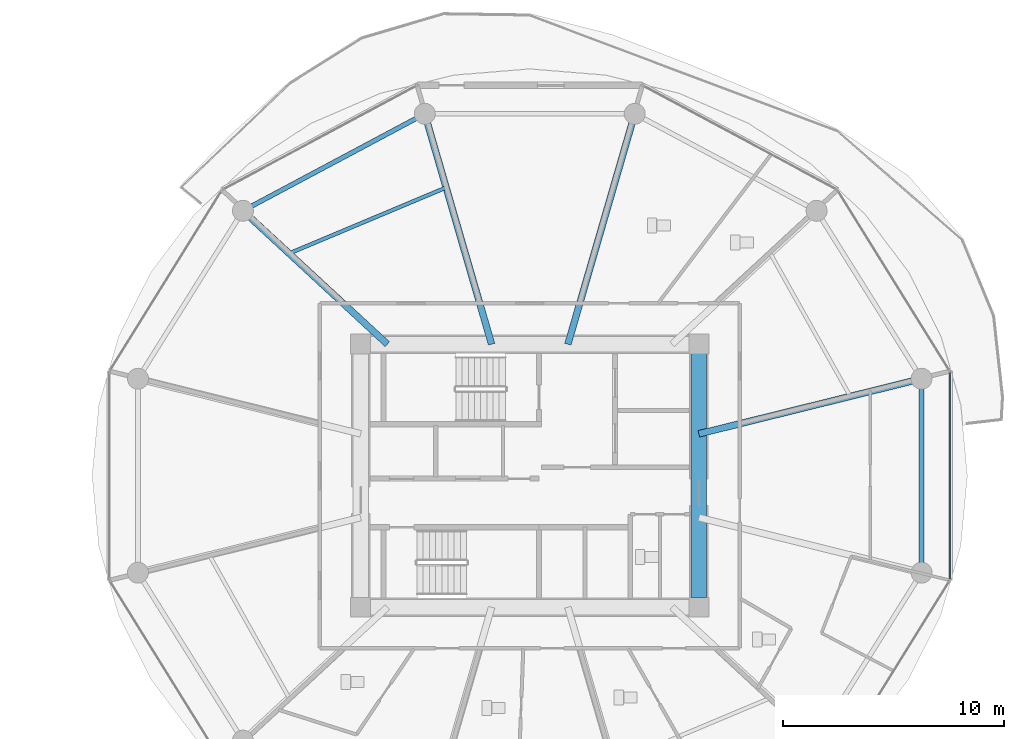
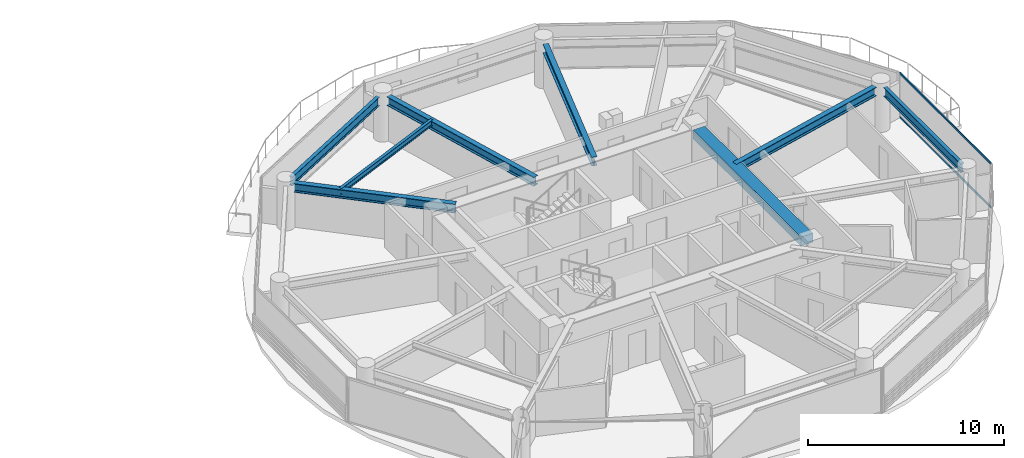
# One storey, part 12 of 27: 8 beams, 2 members, 1 element without a shape of its own.
"""IFC4 building model written with IfcOpenShell, lengths in metres."""

from ifc_helpers import new_model, si_unit, direction, frame, origin, origin_2d, place, context, subcontext, project, spatial, rectangle, i_section, extrude, source, transform, mapped, material, layer, layer_set, material_profile, profile_set, type_object, type_shapes, element, aggregate, save


model = new_model("IFC4")

# Units and contexts
model_context = context("Model", 3, precision=1e-05, world=origin(), true_north=direction((0.0, 1.0)))
body_context = subcontext(model_context, "Body", "Model", "MODEL_VIEW")
ifc_project = project(units=[si_unit("LENGTHUNIT", "METRE"), si_unit("AREAUNIT", "SQUARE_METRE"), si_unit("VOLUMEUNIT", "CUBIC_METRE"), si_unit("PLANEANGLEUNIT", "RADIAN"), si_unit("MASSUNIT", "GRAM", prefix="KILO")], contexts=[model_context])

# Site, building, storey
site_placement = place(None, origin())
site = spatial("IfcSite", under=ifc_project, at=site_placement, CompositionType="ELEMENT")
building_placement = place(site_placement, origin())
building = spatial("IfcBuilding", under=site, at=building_placement, Name="Norrkilde Senior Care Towers", CompositionType="ELEMENT")
storey_placement = place(building_placement, frame((0.0, 0.0, 52.10009765625)))
storey = spatial("IfcBuildingStorey", under=building, at=storey_placement, Name="L15", CompositionType="ELEMENT", Elevation=52.10009765625)

# Beams
ifc_material_1 = material(Name="Concrete C60/75", Category="concrete")
ifc_material_profile_1 = material_profile(ifc_material_1, rectangle(XDim=0.699951171875, YDim=0.550048828125, at=origin_2d()), Name="RC BM 700x550")
ifc_profile_set_1 = profile_set([ifc_material_profile_1], Name="Concrete C60/75")
beam_type_1 = type_object("IfcBeamType", Name="Core Portal Coupling Beam 700x550", PredefinedType="USERDEFINED", material=ifc_profile_set_1)
shared_shape_1 = source(origin(), body_context, "Body", "SweptSolid", [
    extrude(rectangle(XDim=0.699951171875, YDim=0.550048828125, at=origin_2d()), origin(), (0.0, 0.0, 1.0), 11.0400390625),
])
type_shapes(beam_type_1, [shared_shape_1])
beam_1_placement = place(storey_placement, frame((35.64990234375, -5.52001953125, 2.514892578125), z_axis=(0.0, 1.0, 0.0), x_axis=(-1.0, 0.0, 0.0)))
element("IfcBeam", 1, at=beam_1_placement, inside=storey, type_object=beam_type_1, Name="L15 Core E E Coupling Girder", ObjectType="GIRDER", PredefinedType="USERDEFINED", context=body_context, shape_type="MappedRepresentation", body=[
    mapped(shared_shape_1, transform((0.0, 0.0, 0.0), x_axis=(1.0, 0.0, 0.0), y_axis=(0.0, 1.0, 0.0), z_axis=(0.0, 0.0, 1.0), scale=1.0)),
])
ifc_material_2 = material(Name="Steel S355", Category="steel")
ifc_material_profile_2 = material_profile(ifc_material_2, i_section(OverallWidth=0.300048828125, OverallDepth=0.550048828125, WebThickness=0.014892578125, FlangeThickness=0.029052734375, FilletRadius=0.027099609375, at=origin_2d()), Name="HEB 550")
ifc_profile_set_2 = profile_set([ifc_material_profile_2], Name="Steel S355")
beam_type_2 = type_object("IfcBeamType", Name="Radial Floor Beam Z1 HEB550", PredefinedType="BEAM", material=ifc_profile_set_2)
shared_shape_2 = source(origin(), body_context, "Body", "SweptSolid", [
    extrude(i_section(OverallWidth=0.300048828125, OverallDepth=0.550048828125, WebThickness=0.014892578125, FlangeThickness=0.029052734375, FilletRadius=0.027099609375, at=origin_2d()), origin(), (0.0, 0.0, 1.0), 9.94384765625),
])
beam_2_placement = place(storey_placement, frame((35.64990234375, 1.893310546875, 2.514892578125), z_axis=(0.970707425182, 0.240264634718, 0.0), x_axis=(-0.240264634718, 0.970707425182, 0.0)))
element("IfcBeam", 2, at=beam_2_placement, inside=storey, type_object=beam_type_2, Name="L15 Drum E Radial Floor Beam 01", PredefinedType="BEAM", context=body_context, shape_type="MappedRepresentation", body=[
    mapped(shared_shape_2, transform((0.0, 0.0, 0.0), x_axis=(1.0, 0.0, 0.0), y_axis=(0.0, 1.0, 0.0), z_axis=(0.0, 0.0, 1.0), scale=1.0)),
])
ifc_material_profile_3 = material_profile(ifc_material_2, i_section(OverallWidth=0.2099609375, OverallDepth=0.550048828125, WebThickness=0.010986328125, FlangeThickness=0.01708984375, FilletRadius=0.02392578125, at=origin_2d()), Name="IPE 550")
ifc_profile_set_3 = profile_set([ifc_material_profile_3], Name="Steel S355")
beam_type_3 = type_object("IfcBeamType", Name="Perimeter Ring Spandrel Z1 IPE550", PredefinedType="SPANDREL", material=ifc_profile_set_3)
shared_shape_3 = source(origin(), body_context, "Body", "SweptSolid", [
    extrude(i_section(OverallWidth=0.2099609375, OverallDepth=0.550048828125, WebThickness=0.010986328125, FlangeThickness=0.01708984375, FilletRadius=0.02392578125, at=origin_2d()), origin(), (0.0, 0.0, 1.0), 8.452880859375),
])
beam_3_placement = place(storey_placement, frame((22.866943359375, 16.167724609375, 2.514892578125), z_axis=(-0.882368931134, -0.470558252898, 0.0), x_axis=(0.470558252898, -0.882368931134, 0.0)))
element("IfcBeam", 3, at=beam_3_placement, inside=storey, type_object=beam_type_3, Name="L15 Drum E Perimeter Spandrel 04", PredefinedType="SPANDREL", context=body_context, shape_type="MappedRepresentation", body=[
    mapped(shared_shape_3, transform((0.0, 0.0, 0.0), x_axis=(1.0, 0.0, 0.0), y_axis=(0.0, 1.0, 0.0), z_axis=(0.0, 0.0, 1.0), scale=1.0)),
])
shared_shape_4 = source(origin(), body_context, "Body", "SweptSolid", [
    extrude(i_section(OverallWidth=0.300048828125, OverallDepth=0.550048828125, WebThickness=0.014892578125, FlangeThickness=0.029052734375, FilletRadius=0.027099609375, at=origin_2d()), origin(), (0.0, 0.0, 1.0), 8.459716796875),
])
beam_4_placement = place(storey_placement, frame((21.55859375, 5.949951171875, 2.514892578125), z_axis=(-0.734573269108, 0.678529374686, 0.0), x_axis=(-0.678529374686, -0.734573269108, 0.0)))
element("IfcBeam", 4, at=beam_4_placement, inside=storey, type_object=beam_type_2, Name="L15 Drum E Radial Floor Beam 05", PredefinedType="BEAM", context=body_context, shape_type="MappedRepresentation", body=[
    mapped(shared_shape_4, transform((0.0, 0.0, 0.0), x_axis=(1.0, 0.0, 0.0), y_axis=(0.0, 1.0, 0.0), z_axis=(0.0, 0.0, 1.0), scale=1.0)),
])
shared_shape_5 = source(origin(), body_context, "Body", "SweptSolid", [
    extrude(i_section(OverallWidth=0.300048828125, OverallDepth=0.550048828125, WebThickness=0.014892578125, FlangeThickness=0.029052734375, FilletRadius=0.027099609375, at=origin_2d()), origin(), (0.0, 0.0, 1.0), 10.4169921875),
])
type_shapes(beam_type_2, [shared_shape_2, shared_shape_4, shared_shape_5])
for number, where, z_axis, x_axis, name in (
    (5, (29.72607421875, 5.949951171875, 2.514892578125), (0.278591250785, 0.960409764104, 0.0), (-0.960409764104, 0.278591250785, 0.0), "L15 Drum E Radial Floor Beam 03"),
    (6, (26.27392578125, 5.949951171875, 2.514892578125), (-0.278591250785, 0.960409764104, 0.0), (-0.960409764104, -0.278591250785, 0.0), "L15 Drum E Radial Floor Beam 04"),
):
    element("IfcBeam", number, at=place(storey_placement, frame(where, z_axis=z_axis, x_axis=x_axis)), inside=storey, type_object=beam_type_2, Name=name, PredefinedType="BEAM", context=body_context, shape_type="MappedRepresentation", body=[
        mapped(shared_shape_5, transform((0.0, 0.0, 0.0), x_axis=(1.0, 0.0, 0.0), y_axis=(0.0, 1.0, 0.0), z_axis=(0.0, 0.0, 1.0), scale=1.0)),
    ])
shared_shape_6 = source(origin(), body_context, "Body", "SweptSolid", [
    extrude(i_section(OverallWidth=0.2099609375, OverallDepth=0.550048828125, WebThickness=0.010986328125, FlangeThickness=0.01708984375, FilletRadius=0.02392578125, at=origin_2d()), origin(), (0.0, 0.0, 1.0), 7.90380859375),
])
type_shapes(beam_type_3, [shared_shape_3, shared_shape_6])
beam_5_placement = place(storey_placement, frame((45.724853515625, -3.951904296875, 2.514892578125), z_axis=(0.0, 1.0, 0.0), x_axis=(-1.0, 0.0, 0.0)))
element("IfcBeam", 7, at=beam_5_placement, inside=storey, type_object=beam_type_3, Name="L15 Drum E Perimeter Spandrel 12", PredefinedType="SPANDREL", context=body_context, shape_type="MappedRepresentation", body=[
    mapped(shared_shape_6, transform((0.0, 0.0, 0.0), x_axis=(1.0, 0.0, 0.0), y_axis=(0.0, 1.0, 0.0), z_axis=(0.0, 0.0, 1.0), scale=1.0)),
])
ifc_material_profile_4 = material_profile(ifc_material_2, i_section(OverallWidth=0.169921875, OverallDepth=0.360107421875, WebThickness=0.008056640625, FlangeThickness=0.0126953125, FilletRadius=0.01806640625, at=origin_2d()), Name="IPE 360")
ifc_profile_set_4 = profile_set([ifc_material_profile_4], Name="Steel S355")
beam_type_4 = type_object("IfcBeamType", Name="Secondary Floor Joist IPE360", PredefinedType="JOIST", material=ifc_profile_set_4)
shared_shape_7 = source(origin(), body_context, "Body", "SweptSolid", [
    extrude(i_section(OverallWidth=0.169921875, OverallDepth=0.360107421875, WebThickness=0.008056640625, FlangeThickness=0.0126953125, FilletRadius=0.01806640625, at=origin_2d()), origin(), (0.0, 0.0, 1.0), 7.703857421875),
])
type_shapes(beam_type_4, [shared_shape_7])
beam_6_placement = place(storey_placement, frame((24.21826171875, 13.037353515625, 2.60986328125), z_axis=(-0.921982784465, -0.387230868023, 0.0), x_axis=(0.387230868023, -0.921982784465, 0.0)))
element("IfcBeam", 8, at=beam_6_placement, inside=storey, type_object=beam_type_4, Name="L15 Drum E Secondary Floor Joist 2", PredefinedType="JOIST", context=body_context, shape_type="MappedRepresentation", body=[
    mapped(shared_shape_7, transform((0.0, 0.0, 0.0), x_axis=(1.0, 0.0, 0.0), y_axis=(0.0, 1.0, 0.0), z_axis=(0.0, 0.0, 1.0), scale=1.0)),
])

# Curtain wall, members
ifc_material_3 = material(Name="Triple Low-E Insulated Glazing", Category="glass")
ifc_layer = layer(ifc_material_3, 0.199951171875)
ifc_layer_set = layer_set([ifc_layer], Name="Triple Low-E Insulated Glazing")
curtain_wall_type = type_object("IfcCurtainWallType", Name="CW2 Zone 1 Memory Care Curtain Wall", PredefinedType="NOTDEFINED", material=ifc_layer_set)
curtain_wall_placement = place(storey_placement, origin())
curtain_wall = element("IfcCurtainWall", 9, at=curtain_wall_placement, inside=storey, type_object=curtain_wall_type, Name="L15 Drum E Curtain Wall 11", PredefinedType="NOTDEFINED")
ifc_material_4 = material(Name="Anodised Aluminium", Category="aluminium")
ifc_material_profile_5 = material_profile(ifc_material_4, rectangle(XDim=0.06005859375, YDim=0.1201171875, at=origin_2d()), Name="ALU TRAN 60x120")
ifc_profile_set_5 = profile_set([ifc_material_profile_5], Name="Anodised Aluminium")
member_type = type_object("IfcMemberType", Name="Curtain Wall Transom Typical 60x120", PredefinedType="USERDEFINED", material=ifc_profile_set_5)
shared_shape_8 = source(origin(), body_context, "Body", "SweptSolid", [
    extrude(rectangle(XDim=0.06005859375, YDim=0.1201171875, at=origin_2d()), origin(), (0.0, 0.0, 1.0), 9.33251953125),
])
type_shapes(member_type, [shared_shape_8])
member_1_placement = place(storey_placement, frame((47.009521484375, 4.666259765625, 0.02978515625), z_axis=(0.0, -1.0, 0.0), x_axis=(1.0, 0.0, 0.0)))
member_1 = element("IfcMember", 10, at=member_1_placement, type_object=member_type, Name="CW-2 transom 1.1", ObjectType="TRANSOM", PredefinedType="USERDEFINED", context=body_context, shape_type="MappedRepresentation", body=[
    mapped(shared_shape_8, transform((0.0, 0.0, 0.0), x_axis=(1.0, 0.0, 0.0), y_axis=(0.0, 1.0, 0.0), z_axis=(0.0, 0.0, 1.0), scale=1.0)),
])
member_2_placement = place(storey_placement, frame((47.009521484375, 4.666259765625, 2.760009765625), z_axis=(0.0, -1.0, 0.0), x_axis=(1.0, 0.0, 0.0)))
member_2 = element("IfcMember", 11, at=member_2_placement, type_object=member_type, Name="CW-2 transom 1.2", ObjectType="TRANSOM", PredefinedType="USERDEFINED", context=body_context, shape_type="MappedRepresentation", body=[
    mapped(shared_shape_8, transform((0.0, 0.0, 0.0), x_axis=(1.0, 0.0, 0.0), y_axis=(0.0, 1.0, 0.0), z_axis=(0.0, 0.0, 1.0), scale=1.0)),
])
aggregate(curtain_wall, [member_1, member_2])

save(model, "model.ifc")
